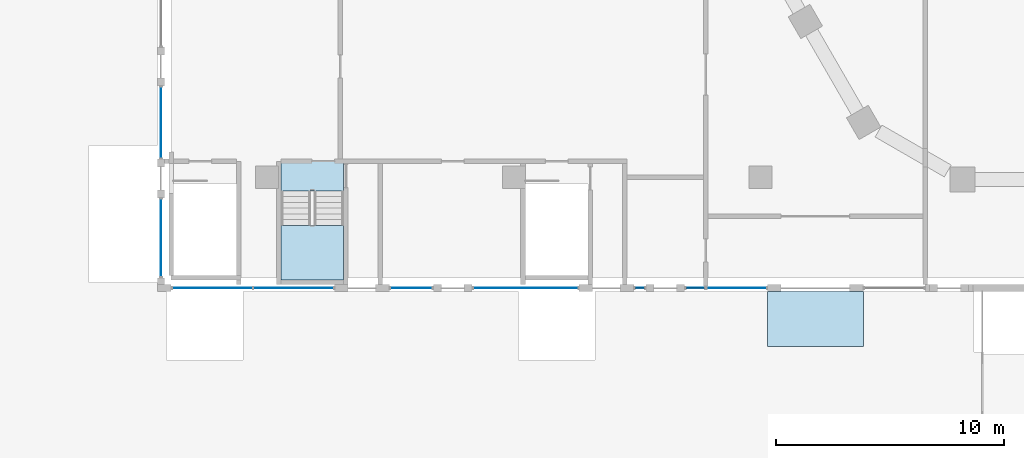
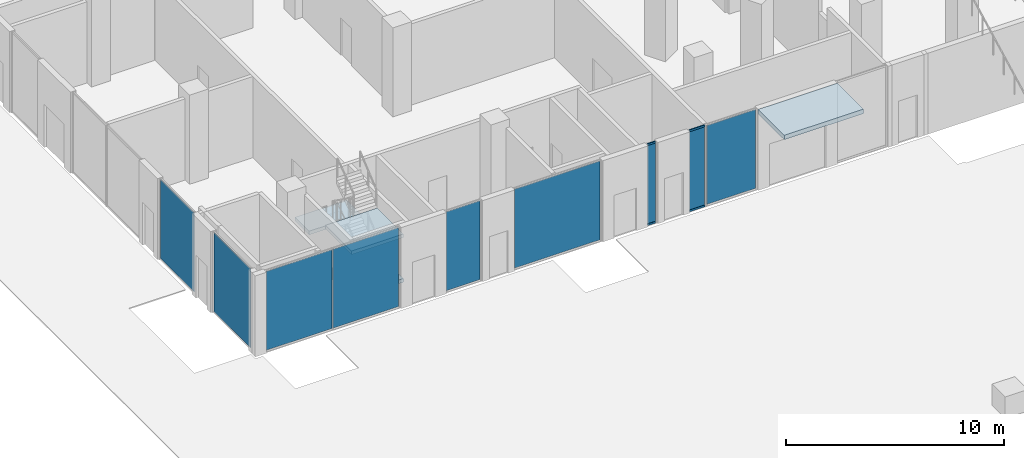
# One storey, part 16 of 57: 10 plates, 4 members, 3 slabs, 9 elements without a shape of their own.
"""IFC4 building model written with IfcOpenShell, lengths in metres."""

from ifc_helpers import new_model, si_unit, direction, frame, origin, origin_2d, place, context, subcontext, project, spatial, polyline, rectangle, hollow_rectangle, outline, extrude, material, layer, layer_set, material_profile, profile_set, type_object, element, aggregate, save


model = new_model("IFC4")

# Units and contexts
model_context = context("Model", 3, precision=1e-05, world=origin(), true_north=direction((0.0, 1.0)))
body_context = subcontext(model_context, "Body", "Model", "MODEL_VIEW")
ifc_project = project(units=[si_unit("LENGTHUNIT", "METRE"), si_unit("AREAUNIT", "SQUARE_METRE"), si_unit("VOLUMEUNIT", "CUBIC_METRE"), si_unit("PLANEANGLEUNIT", "RADIAN"), si_unit("MASSUNIT", "GRAM", prefix="KILO")], contexts=[model_context])

# Site, building, storey
site_placement = place(None, origin())
site = spatial("IfcSite", under=ifc_project, at=site_placement, CompositionType="ELEMENT")
building_placement = place(site_placement, origin())
building = spatial("IfcBuilding", under=site, at=building_placement, Name="Beryl Residences", CompositionType="ELEMENT")
storey_placement = place(building_placement, origin())
storey = spatial("IfcBuildingStorey", under=building, at=storey_placement, Name="L00", CompositionType="ELEMENT", Elevation=0.0)

# Curtain wall, members
ifc_material_1 = material(Name="Aluminium and clear glass", Category="aluminium")
curtain_wall_type_1 = type_object("IfcCurtainWallType", Name="CW1 shopfront glazed wall", PredefinedType="NOTDEFINED", material=ifc_material_1)
curtain_wall_1_placement = place(storey_placement, origin())
curtain_wall_1 = element("IfcCurtainWall", 1, at=curtain_wall_1_placement, inside=storey, type_object=curtain_wall_type_1, Name="CW1 L00 S", PredefinedType="NOTDEFINED")
ifc_material_2 = material(Name="Aluminium", Category="aluminium")
ifc_material_profile = material_profile(ifc_material_2, hollow_rectangle(XDim=0.06005859375, YDim=0.10009765625, WallThickness=0.00390625, at=origin_2d()))
ifc_profile_set = profile_set([ifc_material_profile], Name="Aluminium")
member_type = type_object("IfcMemberType", Name="CW1-T transom 60 x 100 mm", PredefinedType="USERDEFINED", material=ifc_profile_set)
member_1_placement = place(storey_placement, frame((-27.090087890625, -31.85009765625, 0.030029296875), z_axis=(1.0, 0.0, 0.0), x_axis=(0.0, 1.0, 0.0)))
member_1 = element("IfcMember", 2, at=member_1_placement, type_object=member_type, Name="CW1 transom 1.1", ObjectType="TRANSOM", PredefinedType="USERDEFINED", context=body_context, shape_type="SweptSolid", body=[
    extrude(hollow_rectangle(XDim=0.06005859375, YDim=0.10009765625, WallThickness=0.00390625, at=origin_2d()), origin(), (0.0, 0.0, 1.0), 0.405029296875),
])
member_2_placement = place(storey_placement, frame((-27.090087890625, -31.85009765625, 4.52001953125), z_axis=(1.0, 0.0, 0.0), x_axis=(0.0, 1.0, 0.0)))
member_2 = element("IfcMember", 3, at=member_2_placement, type_object=member_type, Name="CW1 transom 1.2", ObjectType="TRANSOM", PredefinedType="USERDEFINED", context=body_context, shape_type="SweptSolid", body=[
    extrude(hollow_rectangle(XDim=0.06005859375, YDim=0.10009765625, WallThickness=0.00390625, at=origin_2d()), origin(), (0.0, 0.0, 1.0), 0.405029296875),
])

curtain_wall_2_placement = place(storey_placement, origin())
curtain_wall_2 = element("IfcCurtainWall", 4, at=curtain_wall_2_placement, inside=storey, type_object=curtain_wall_type_1, Name="CW1 L00 S", PredefinedType="NOTDEFINED")
member_3_placement = place(storey_placement, frame((-24.864990234375, -31.85009765625, 0.030029296875), z_axis=(1.0, 0.0, 0.0), x_axis=(0.0, 1.0, 0.0)))
member_3 = element("IfcMember", 5, at=member_3_placement, type_object=member_type, Name="CW1 transom 1.1", ObjectType="TRANSOM", PredefinedType="USERDEFINED", context=body_context, shape_type="SweptSolid", body=[
    extrude(hollow_rectangle(XDim=0.06005859375, YDim=0.10009765625, WallThickness=0.00390625, at=origin_2d()), origin(), (0.0, 0.0, 1.0), 0.804931640625),
])
member_4_placement = place(storey_placement, frame((-24.864990234375, -31.85009765625, 4.52001953125), z_axis=(1.0, 0.0, 0.0), x_axis=(0.0, 1.0, 0.0)))
member_4 = element("IfcMember", 6, at=member_4_placement, type_object=member_type, Name="CW1 transom 1.2", ObjectType="TRANSOM", PredefinedType="USERDEFINED", context=body_context, shape_type="SweptSolid", body=[
    extrude(hollow_rectangle(XDim=0.06005859375, YDim=0.10009765625, WallThickness=0.00390625, at=origin_2d()), origin(), (0.0, 0.0, 1.0), 0.804931640625),
])

# Plate
ifc_material_3 = material(Name="Aluminium composite and steel S355", Category="steel")
ifc_layer_1 = layer(ifc_material_3, 0.25)
ifc_layer_set_1 = layer_set([ifc_layer_1], Name="CP1 entrance canopy 250 mm")
plate_type_1 = type_object("IfcPlateType", Name="CP1 entrance canopy 250 mm", PredefinedType="SHEET", material=ifc_layer_set_1)
plate_1_placement = place(storey_placement, frame((-19.199951171875, -33.199951171875, 4.300048828125), z_axis=(0.0, 0.0, 1.0), x_axis=(0.0, -1.0, 0.0)))
element("IfcPlate", 7, at=plate_1_placement, inside=storey, type_object=plate_type_1, Name="CP1 entrance canopy L00 S", PredefinedType="SHEET", context=body_context, shape_type="SweptSolid", body=[
    extrude(rectangle(XDim=2.39990234375, YDim=4.199951171875, at=origin_2d()), origin(), (0.0, 0.0, 1.0), 0.25),
])

# Curtain wall, plates
curtain_wall_3_placement = place(storey_placement, origin())
curtain_wall_3 = element("IfcCurtainWall", 8, at=curtain_wall_3_placement, inside=storey, type_object=curtain_wall_type_1, Name="CW1 L00 S", PredefinedType="NOTDEFINED")
ifc_material_4 = material(Name="Clear laminated glass", Category="glass")
ifc_layer_2 = layer(ifc_material_4, 0.028076171875)
ifc_layer_set_2 = layer_set([ifc_layer_2], Name="CW1-P glazing panel 28 mm")
plate_type_2 = type_object("IfcPlateType", Name="CW1-P glazing panel 28 mm", PredefinedType="CURTAIN_PANEL", material=ifc_layer_set_2)
plate_2_placement = place(storey_placement, frame((-45.597412109375, -31.85009765625, 0.06005859375), z_axis=(0.0, 0.0, 1.0), x_axis=(1.0, 0.0, 0.0)))
plate_2 = element("IfcPlate", 9, at=plate_2_placement, type_object=plate_type_2, Name="CW1 panel 1.1", PredefinedType="CURTAIN_PANEL", context=body_context, shape_type="SweptSolid", body=[
    extrude(rectangle(XDim=3.485107421875, YDim=0.028076171875, at=origin_2d()), origin(), (0.0, 0.0, 1.0), 4.429931640625),
])
plate_3_placement = place(storey_placement, frame((-42.052490234375, -31.85009765625, 0.06005859375), z_axis=(0.0, 0.0, 1.0), x_axis=(1.0, 0.0, 0.0)))
plate_3 = element("IfcPlate", 10, at=plate_3_placement, type_object=plate_type_2, Name="CW1 panel 2.1", PredefinedType="CURTAIN_PANEL", context=body_context, shape_type="SweptSolid", body=[
    extrude(rectangle(XDim=3.485107421875, YDim=0.028076171875, at=origin_2d()), origin(), (0.0, 0.0, 1.0), 4.429931640625),
])
aggregate(curtain_wall_3, [plate_2, plate_3])

# Curtain wall, plate
curtain_wall_4_placement = place(storey_placement, origin())
curtain_wall_4 = element("IfcCurtainWall", 11, at=curtain_wall_4_placement, inside=storey, type_object=curtain_wall_type_1, Name="CW1 L00 S", PredefinedType="NOTDEFINED")
plate_4_placement = place(storey_placement, frame((-36.887451171875, -31.85009765625, 0.06005859375), z_axis=(0.0, 0.0, 1.0), x_axis=(1.0, 0.0, 0.0)))
plate_4 = element("IfcPlate", 12, at=plate_4_placement, type_object=plate_type_2, Name="CW1 panel 1.1", PredefinedType="CURTAIN_PANEL", context=body_context, shape_type="SweptSolid", body=[
    extrude(rectangle(XDim=1.804931640625, YDim=0.028076171875, at=origin_2d()), origin(), (0.0, 0.0, 1.0), 4.429931640625),
])
aggregate(curtain_wall_4, [plate_4])

curtain_wall_5_placement = place(storey_placement, origin())
curtain_wall_5 = element("IfcCurtainWall", 13, at=curtain_wall_5_placement, inside=storey, type_object=curtain_wall_type_1, Name="CW1 L00 S", PredefinedType="NOTDEFINED")
plate_5_placement = place(storey_placement, frame((-31.887451171875, -31.85009765625, 0.06005859375), z_axis=(0.0, 0.0, 1.0), x_axis=(1.0, 0.0, 0.0)))
plate_5 = element("IfcPlate", 14, at=plate_5_placement, type_object=plate_type_2, Name="CW1 panel 1.1", PredefinedType="CURTAIN_PANEL", context=body_context, shape_type="SweptSolid", body=[
    extrude(rectangle(XDim=4.554931640625, YDim=0.028076171875, at=origin_2d()), origin(), (0.0, 0.0, 1.0), 4.429931640625),
])
aggregate(curtain_wall_5, [plate_5])

# Plate
plate_6_placement = place(storey_placement, frame((-26.887451171875, -31.85009765625, 0.06005859375), z_axis=(0.0, 0.0, 1.0), x_axis=(1.0, 0.0, 0.0)))
plate_6 = element("IfcPlate", 15, at=plate_6_placement, type_object=plate_type_2, Name="CW1 panel 1.1", PredefinedType="CURTAIN_PANEL", context=body_context, shape_type="SweptSolid", body=[
    extrude(rectangle(XDim=0.405029296875, YDim=0.028076171875, at=origin_2d()), origin(), (0.0, 0.0, 1.0), 4.429931640625),
])

aggregate(curtain_wall_1, [member_1, member_2, plate_6])

plate_7_placement = place(storey_placement, frame((-24.46240234375, -31.85009765625, 0.06005859375), z_axis=(0.0, 0.0, 1.0), x_axis=(1.0, 0.0, 0.0)))
plate_7 = element("IfcPlate", 16, at=plate_7_placement, type_object=plate_type_2, Name="CW1 panel 1.1", PredefinedType="CURTAIN_PANEL", context=body_context, shape_type="SweptSolid", body=[
    extrude(rectangle(XDim=0.804931640625, YDim=0.028076171875, at=origin_2d()), origin(), (0.0, 0.0, 1.0), 4.429931640625),
])

aggregate(curtain_wall_2, [member_3, member_4, plate_7])

# Curtain wall, plate
curtain_wall_6_placement = place(storey_placement, origin())
curtain_wall_6 = element("IfcCurtainWall", 17, at=curtain_wall_6_placement, inside=storey, type_object=curtain_wall_type_1, Name="CW1 L00 W", PredefinedType="NOTDEFINED")
plate_8_placement = place(storey_placement, frame((-47.85009765625, -24.60009765625, 0.06005859375), z_axis=(0.0, 0.0, 1.0), x_axis=(0.0, -1.0, 0.0)))
plate_8 = element("IfcPlate", 18, at=plate_8_placement, type_object=plate_type_2, Name="CW1 panel 1.1", PredefinedType="CURTAIN_PANEL", context=body_context, shape_type="SweptSolid", body=[
    extrude(rectangle(XDim=3.080078125, YDim=0.028076171875, at=origin_2d()), origin(), (0.0, 0.0, 1.0), 4.429931640625),
])
aggregate(curtain_wall_6, [plate_8])

curtain_wall_7_placement = place(storey_placement, origin())
curtain_wall_7 = element("IfcCurtainWall", 19, at=curtain_wall_7_placement, inside=storey, type_object=curtain_wall_type_1, Name="CW1 L00 W", PredefinedType="NOTDEFINED")
plate_9_placement = place(storey_placement, frame((-47.85009765625, -29.64990234375, 0.06005859375), z_axis=(0.0, 0.0, 1.0), x_axis=(0.0, -1.0, 0.0)))
plate_9 = element("IfcPlate", 20, at=plate_9_placement, type_object=plate_type_2, Name="CW1 panel 1.1", PredefinedType="CURTAIN_PANEL", context=body_context, shape_type="SweptSolid", body=[
    extrude(rectangle(XDim=3.3798828125, YDim=0.028076171875, at=origin_2d()), origin(), (0.0, 0.0, 1.0), 4.429931640625),
])
aggregate(curtain_wall_7, [plate_9])

ifc_material_5 = material(Name="Aluminium and clear glass", Category="aluminium")
curtain_wall_type_2 = type_object("IfcCurtainWallType", Name="CW5 lobby and retail return glazing glazed wall", PredefinedType="NOTDEFINED", material=ifc_material_5)
curtain_wall_8_placement = place(storey_placement, origin())
curtain_wall_8 = element("IfcCurtainWall", 21, at=curtain_wall_8_placement, inside=storey, type_object=curtain_wall_type_2, Name="CW5 L00 S", PredefinedType="NOTDEFINED")
ifc_material_6 = material(Name="Clear laminated glass", Category="glass")
ifc_layer_3 = layer(ifc_material_6, 0.028076171875)
ifc_layer_set_3 = layer_set([ifc_layer_3], Name="CW5-P glazing panel 28 mm")
plate_type_3 = type_object("IfcPlateType", Name="CW5-P glazing panel 28 mm", PredefinedType="CURTAIN_PANEL", material=ifc_layer_set_3)
plate_10_placement = place(storey_placement, frame((-22.64990234375, -31.85009765625, 0.06005859375), z_axis=(0.0, 0.0, 1.0), x_axis=(1.0, 0.0, 0.0)))
plate_10 = element("IfcPlate", 22, at=plate_10_placement, type_object=plate_type_3, Name="CW5 panel 1.1", PredefinedType="CURTAIN_PANEL", context=body_context, shape_type="SweptSolid", body=[
    extrude(rectangle(XDim=2.580078125, YDim=0.028076171875, at=origin_2d()), origin(), (0.0, 0.0, 1.0), 4.429931640625),
])
aggregate(curtain_wall_8, [plate_10])

# Stair, slabs
ifc_material_7 = material(Name="Concrete C40/50", Category="concrete")
stair_type = type_object("IfcStairType", Name="ST1 protected exit stair, half-turn, 1300 mm flights", PredefinedType="HALF_TURN_STAIR", material=ifc_material_7)
stair_placement = place(storey_placement, origin())
stair = element("IfcStair", 23, at=stair_placement, inside=storey, type_object=stair_type, Name="L00 Podium exit stair 4", PredefinedType="HALF_TURN_STAIR")
ifc_material_8 = material(Name="Concrete C40/50", Category="concrete")
ifc_layer_4 = layer(ifc_material_8, 0.199951171875)
ifc_layer_set_4 = layer_set([ifc_layer_4], Name="SLD1 stair landing 200 mm")
slab_type = type_object("IfcSlabType", Name="SLD1 stair landing 200 mm", PredefinedType="LANDING", material=ifc_layer_set_4)
slab_1_placement = place(storey_placement, frame((0.0, 0.0, 1.050048828125)))
slab_1 = element("IfcSlab", 24, at=slab_1_placement, type_object=slab_type, Name="PS-4 landing 1", PredefinedType="LANDING", context=body_context, shape_type="SweptSolid", body=[
    extrude(outline(polyline([(-42.60009765625, -29.10009765625), (-42.60009765625, -31.5), (-39.85009765625, -31.5), (-39.85009765625, -29.10009765625), (-42.60009765625, -29.10009765625)])), origin(), (0.0, 0.0, 1.0), 0.199951171875),
])
slab_2_placement = place(storey_placement, frame((0.0, 0.0, 2.300048828125)))
slab_2 = element("IfcSlab", 25, at=slab_2_placement, type_object=slab_type, Name="PS-4 landing 2", PredefinedType="LANDING", context=body_context, shape_type="SweptSolid", body=[
    extrude(outline(polyline([(-42.60009765625, -26.300048828125), (-42.60009765625, -27.60009765625), (-39.85009765625, -27.60009765625), (-39.85009765625, -26.300048828125), (-42.60009765625, -26.300048828125)])), origin(), (0.0, 0.0, 1.0), 0.199951171875),
])
slab_3_placement = place(storey_placement, frame((0.0, 0.0, 3.550048828125)))
slab_3 = element("IfcSlab", 26, at=slab_3_placement, type_object=slab_type, Name="PS-4 landing 3", PredefinedType="LANDING", context=body_context, shape_type="SweptSolid", body=[
    extrude(outline(polyline([(-42.60009765625, -29.10009765625), (-42.60009765625, -31.5), (-39.85009765625, -31.5), (-39.85009765625, -29.10009765625), (-42.60009765625, -29.10009765625)])), origin(), (0.0, 0.0, 1.0), 0.199951171875),
])
aggregate(stair, [slab_1, slab_2, slab_3])

save(model, "model.ifc")
